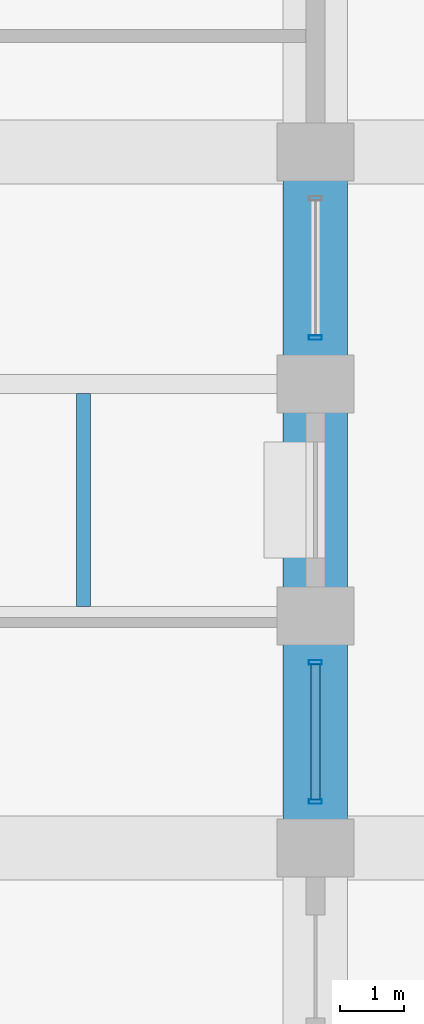
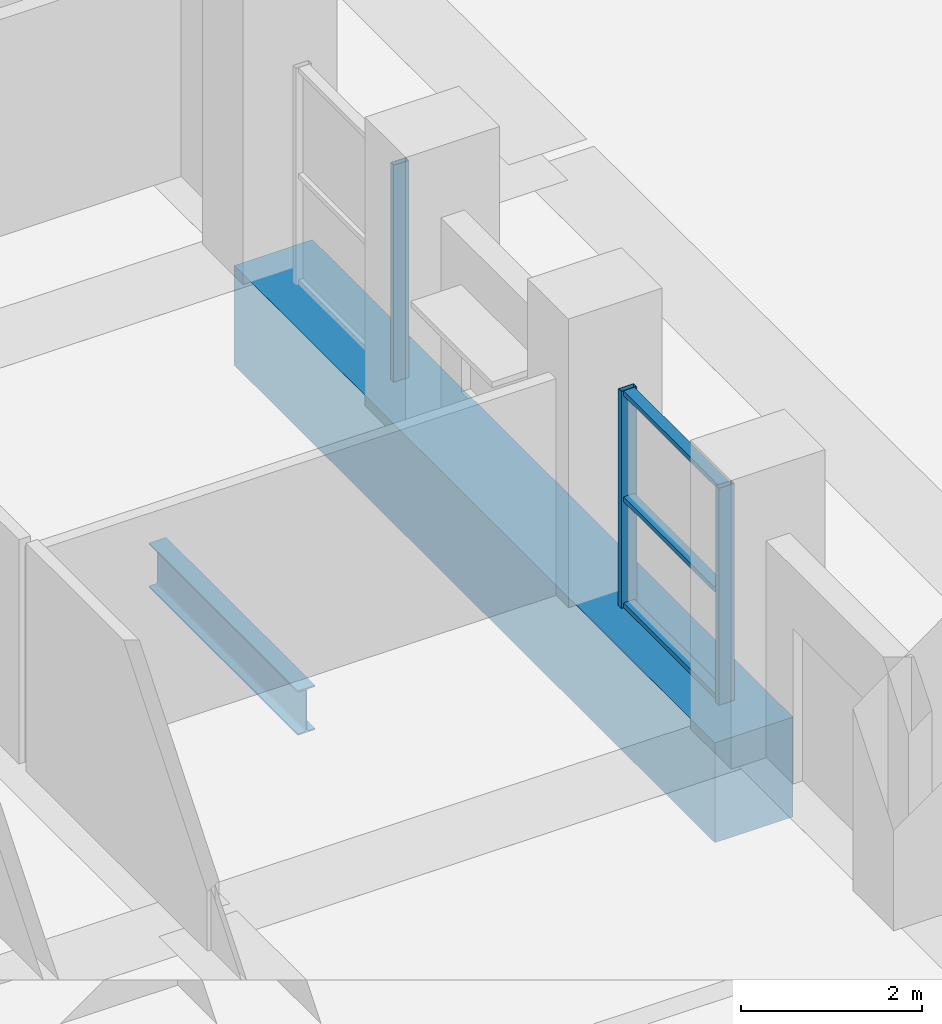
# One storey, part 25 of 39: 6 members, 2 beams, 2 elements without a shape of their own.
"""IFC4 building model written with IfcOpenShell, lengths in metres."""

from ifc_helpers import new_model, si_unit, direction, frame, origin, origin_2d, place, context, subcontext, project, spatial, rectangle, hollow_rectangle, i_section, extrude, material, layer, layer_set, material_profile, profile_set, type_object, element, aggregate, save


model = new_model("IFC4")

# Units and contexts
model_context = context("Model", 3, precision=1e-05, world=origin(), true_north=direction((0.0, 1.0)))
body_context = subcontext(model_context, "Body", "Model", "MODEL_VIEW")
ifc_project = project(units=[si_unit("LENGTHUNIT", "METRE"), si_unit("AREAUNIT", "SQUARE_METRE"), si_unit("VOLUMEUNIT", "CUBIC_METRE"), si_unit("PLANEANGLEUNIT", "RADIAN"), si_unit("MASSUNIT", "GRAM", prefix="KILO")], contexts=[model_context])

# Site, building, storey
site_placement = place(None, origin())
site = spatial("IfcSite", under=ifc_project, at=site_placement, CompositionType="ELEMENT")
building_placement = place(site_placement, origin())
building = spatial("IfcBuilding", under=site, at=building_placement, Name="Solnavia Interchange Tower", CompositionType="ELEMENT")
storey_placement = place(building_placement, frame((0.0, 0.0, 24.0)))
storey = spatial("IfcBuildingStorey", under=building, at=storey_placement, Name="L05", CompositionType="ELEMENT", Elevation=24.0)

# Beams
ifc_material_1 = material(Name="Steel S355", Category="steel")
ifc_material_profile_1 = material_profile(ifc_material_1, i_section(OverallWidth=0.219970703125, OverallDepth=0.60009765625, WebThickness=0.011962890625, FlangeThickness=0.01904296875, FilletRadius=0.02392578125, at=origin_2d()), Name="IPE 600")
ifc_profile_set_1 = profile_set([ifc_material_profile_1], Name="Steel S355")
beam_type_1 = type_object("IfcBeamType", Name="Beam-Joist-IPE600", PredefinedType="JOIST", material=ifc_profile_set_1)
beam_1_placement = place(storey_placement, frame((25.199951171875, 36.14990234375, -0.699951171875), z_axis=(0.0, 1.0, 0.0), x_axis=(-1.0, 0.0, 0.0)))
element("IfcBeam", 1, at=beam_1_placement, inside=storey, type_object=beam_type_1, Name="JST-L05-N04 North wing secondary joist", PredefinedType="JOIST", context=body_context, shape_type="SweptSolid", body=[
    extrude(i_section(OverallWidth=0.219970703125, OverallDepth=0.60009765625, WebThickness=0.011962890625, FlangeThickness=0.01904296875, FilletRadius=0.02392578125, at=origin_2d()), origin(), (0.0, 0.0, 1.0), 3.300048828125),
])
ifc_material_2 = material(Name="Concrete C60/75", Category="concrete")
ifc_material_profile_2 = material_profile(ifc_material_2, rectangle(XDim=1.0, YDim=1.35009765625, at=origin_2d()), Name="RC 1000x1350")
ifc_profile_set_2 = profile_set([ifc_material_profile_2], Name="Concrete C60/75")
beam_type_2 = type_object("IfcBeamType", Name="Beam-Transfer-RC1000x1350", PredefinedType="BEAM", material=ifc_profile_set_2)
beam_2_placement = place(storey_placement, frame((28.800048828125, 32.47998046875, -0.675048828125), z_axis=(0.0, 1.0, 0.0), x_axis=(-1.0, 0.0, 0.0)))
element("IfcBeam", 2, at=beam_2_placement, inside=storey, type_object=beam_type_2, Name="TRB-L05-63 North-east perimeter transfer girder", PredefinedType="BEAM", context=body_context, shape_type="SweptSolid", body=[
    extrude(rectangle(XDim=1.0, YDim=1.35009765625, at=origin_2d()), origin(), (0.0, 0.0, 1.0), 10.64013671875),
])

# Curtain wall, members
ifc_material_3 = material(Name="Aluminium Alloy 6063-T6", Category="aluminium")
ifc_layer = layer(ifc_material_3, 0.219970703125)
ifc_layer_set = layer_set([ifc_layer], Name="Aluminium Alloy 6063-T6")
curtain_wall_type = type_object("IfcCurtainWallType", Name="CurtainWall-Tower-CTW3", PredefinedType="NOTDEFINED", material=ifc_layer_set)
curtain_wall_1_placement = place(storey_placement, origin())
curtain_wall_1 = element("IfcCurtainWall", 3, at=curtain_wall_1_placement, inside=storey, type_object=curtain_wall_type, Name="CTW-L05-S34 CTW-3 curtain wall", PredefinedType="NOTDEFINED")
ifc_material_profile_3 = material_profile(ifc_material_3, hollow_rectangle(XDim=0.070068359375, YDim=0.199951171875, WallThickness=0.0048828125, at=origin_2d()), Name="ALU 200x70x5")
ifc_profile_set_3 = profile_set([ifc_material_profile_3], Name="Aluminium Alloy 6063-T6")
member_type_1 = type_object("IfcMemberType", Name="CW-Mullion-CWM-3", PredefinedType="MULLION", material=ifc_profile_set_3)
member_1_placement = place(storey_placement, frame((28.800048828125, 33.1201171875, 0.0), z_axis=(0.0, 0.0, 1.0), x_axis=(0.0, 1.0, 0.0)))
member_1 = element("IfcMember", 4, at=member_1_placement, type_object=member_type_1, Name="CTW-3 mullion 1", PredefinedType="MULLION", context=body_context, shape_type="SweptSolid", body=[
    extrude(hollow_rectangle(XDim=0.070068359375, YDim=0.199951171875, WallThickness=0.0048828125, at=origin_2d()), origin(), (0.0, 0.0, 1.0), 2.929931640625),
])
member_2_placement = place(storey_placement, frame((28.800048828125, 35.280029296875, 0.0), z_axis=(0.0, 0.0, 1.0), x_axis=(0.0, 1.0, 0.0)))
member_2 = element("IfcMember", 5, at=member_2_placement, type_object=member_type_1, Name="CTW-3 mullion 2", PredefinedType="MULLION", context=body_context, shape_type="SweptSolid", body=[
    extrude(hollow_rectangle(XDim=0.070068359375, YDim=0.199951171875, WallThickness=0.0048828125, at=origin_2d()), origin(), (0.0, 0.0, 1.0), 2.929931640625),
])

# Curtain wall, member
curtain_wall_2_placement = place(storey_placement, origin())
curtain_wall_2 = element("IfcCurtainWall", 6, at=curtain_wall_2_placement, inside=storey, type_object=curtain_wall_type, Name="CTW-L05-S36 CTW-3 curtain wall", PredefinedType="NOTDEFINED")
member_3_placement = place(storey_placement, frame((28.800048828125, 40.320068359375, 0.0), z_axis=(0.0, 0.0, 1.0), x_axis=(0.0, 1.0, 0.0)))
member_3 = element("IfcMember", 7, at=member_3_placement, type_object=member_type_1, Name="CTW-3 mullion 1", PredefinedType="MULLION", context=body_context, shape_type="SweptSolid", body=[
    extrude(hollow_rectangle(XDim=0.070068359375, YDim=0.199951171875, WallThickness=0.0048828125, at=origin_2d()), origin(), (0.0, 0.0, 1.0), 2.929931640625),
])
aggregate(curtain_wall_2, [member_3])

# Member
ifc_material_profile_4 = material_profile(ifc_material_3, hollow_rectangle(XDim=0.06494140625, YDim=0.139892578125, WallThickness=0.00390625, at=origin_2d()), Name="ALU 140x65x4")
ifc_profile_set_4 = profile_set([ifc_material_profile_4], Name="Aluminium Alloy 6063-T6")
member_type_2 = type_object("IfcMemberType", Name="CW-Transom-CWT-3", PredefinedType="USERDEFINED", material=ifc_profile_set_4)
member_4_placement = place(storey_placement, frame((28.800048828125, 33.155029296875, 0.032470703125), z_axis=(0.0, 1.0, 0.0), x_axis=(0.0, 0.0, 1.0)))
member_4 = element("IfcMember", 8, at=member_4_placement, type_object=member_type_2, Name="CTW-3 transom 1.1", ObjectType="TRANSOM", PredefinedType="USERDEFINED", context=body_context, shape_type="SweptSolid", body=[
    extrude(hollow_rectangle(XDim=0.06494140625, YDim=0.139892578125, WallThickness=0.00390625, at=origin_2d()), origin(), (0.0, 0.0, 1.0), 2.090087890625),
])

member_5_placement = place(storey_placement, frame((28.800048828125, 33.155029296875, 1.465087890625), z_axis=(0.0, 1.0, 0.0), x_axis=(0.0, 0.0, 1.0)))
member_5 = element("IfcMember", 9, at=member_5_placement, type_object=member_type_2, Name="CTW-3 transom 1.2", ObjectType="TRANSOM", PredefinedType="USERDEFINED", context=body_context, shape_type="SweptSolid", body=[
    extrude(hollow_rectangle(XDim=0.06494140625, YDim=0.139892578125, WallThickness=0.00390625, at=origin_2d()), origin(), (0.0, 0.0, 1.0), 2.090087890625),
])

member_6_placement = place(storey_placement, frame((28.800048828125, 33.155029296875, 2.8974609375), z_axis=(0.0, 1.0, 0.0), x_axis=(0.0, 0.0, 1.0)))
member_6 = element("IfcMember", 10, at=member_6_placement, type_object=member_type_2, Name="CTW-3 transom 1.3", ObjectType="TRANSOM", PredefinedType="USERDEFINED", context=body_context, shape_type="SweptSolid", body=[
    extrude(hollow_rectangle(XDim=0.06494140625, YDim=0.139892578125, WallThickness=0.00390625, at=origin_2d()), origin(), (0.0, 0.0, 1.0), 2.090087890625),
])

aggregate(curtain_wall_1, [member_1, member_2, member_4, member_5, member_6])

save(model, "model.ifc")
